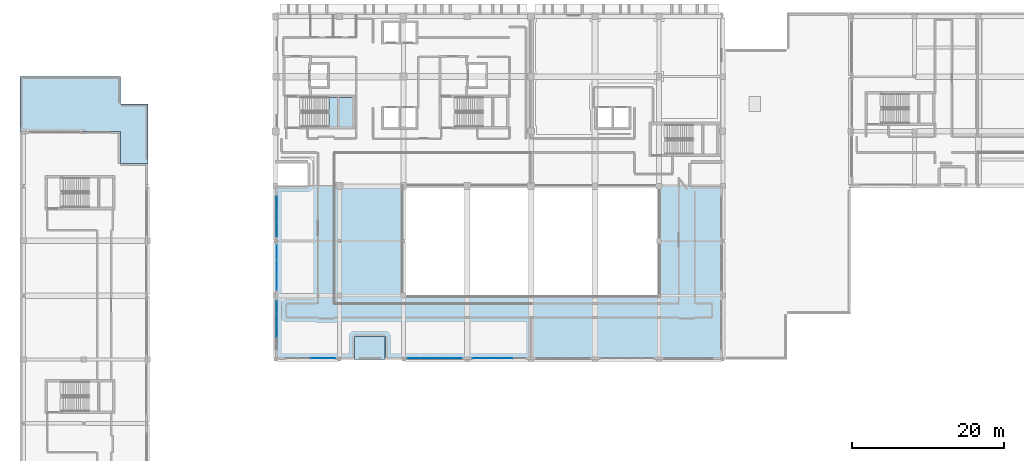
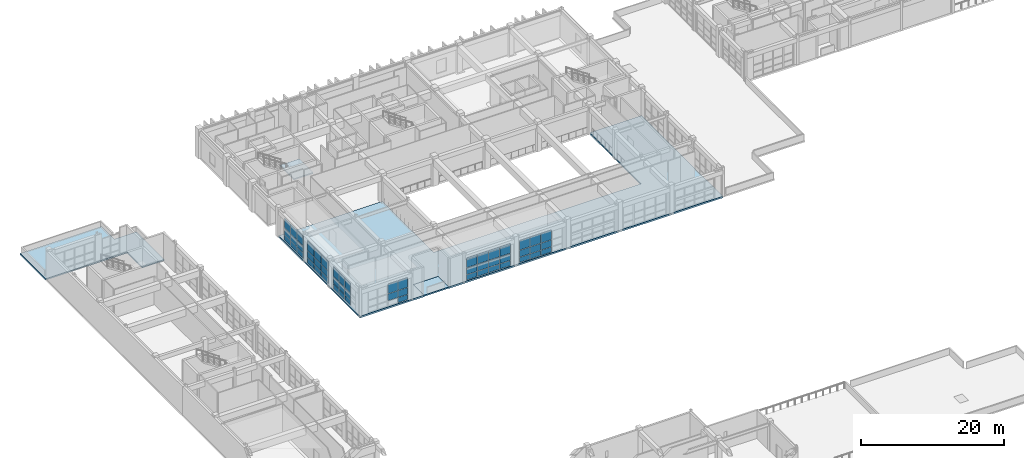
# One storey, part 52 of 78: 53 plates, 4 slabs, 7 elements without a shape of their own.
"""IFC4 building model written with IfcOpenShell, lengths in metres."""

from ifc_helpers import new_model, si_unit, direction, frame, origin, origin_2d, place, context, subcontext, project, spatial, polyline, rectangle, outline, extrude, material, layer, layer_set, type_object, element, aggregate, save


model = new_model("IFC4")

# Units and contexts
model_context = context("Model", 3, precision=1e-05, world=origin(), true_north=direction((0.0, 1.0)))
body_context = subcontext(model_context, "Body", "Model", "MODEL_VIEW")
ifc_project = project(units=[si_unit("LENGTHUNIT", "METRE"), si_unit("AREAUNIT", "SQUARE_METRE"), si_unit("VOLUMEUNIT", "CUBIC_METRE"), si_unit("PLANEANGLEUNIT", "RADIAN"), si_unit("MASSUNIT", "GRAM", prefix="KILO")], contexts=[model_context])

# Site, building, storey
site_placement = place(None, origin())
site = spatial("IfcSite", under=ifc_project, at=site_placement, CompositionType="ELEMENT")
building_placement = place(site_placement, origin())
building = spatial("IfcBuilding", under=site, at=building_placement, Name="Quendrovan Civic Courthouse", CompositionType="ELEMENT")
storey_placement = place(building_placement, frame((0.0, 0.0, 10.199951171875)))
storey = spatial("IfcBuildingStorey", under=building, at=storey_placement, Name="L03", CompositionType="ELEMENT", Elevation=10.199951171875)

# Curtain wall, plates
ifc_material_1 = material(Name="Bronze anodised aluminium and low-E glass", Category="aluminium")
ifc_layer_1 = layer(ifc_material_1, 0.179931640625, Name="Bronze anodised aluminium and low-E glass")
ifc_layer_set_1 = layer_set([ifc_layer_1], Name="Bronze anodised aluminium and low-E glass")
curtain_wall_type_1 = type_object("IfcCurtainWallType", Name="CW-U66x39", PredefinedType="USERDEFINED", material=ifc_layer_set_1)
curtain_wall_1_placement = place(storey_placement, origin())
curtain_wall_1 = element("IfcCurtainWall", 1, at=curtain_wall_1_placement, inside=storey, type_object=curtain_wall_type_1, Name="L03 Unitised Hurricane Curtain Wall CW-136", ObjectType="UNITISED CURTAIN WALL", PredefinedType="USERDEFINED")
ifc_material_2 = material(Name="Laminated hurricane-impact low-E glass", Category="glass")
ifc_layer_2 = layer(ifc_material_2, 0.028076171875, Name="Laminated hurricane-impact low-E glass")
ifc_layer_set_2 = layer_set([ifc_layer_2], Name="Laminated hurricane-impact low-E glass")
plate_type_1 = type_object("IfcPlateType", Name="CW-PNL-1", PredefinedType="CURTAIN_PANEL", material=ifc_layer_set_2)
plate_1_placement = place(storey_placement, frame((40.657470703125, 64.965087890625, 0.06982421875), z_axis=(0.0, 0.0, 1.0), x_axis=(-1.0, 0.0, 0.0)))
plate_1 = element("IfcPlate", 2, at=plate_1_placement, type_object=plate_type_1, Name="CW-136 panel 1.1", PredefinedType="CURTAIN_PANEL", context=body_context, shape_type="SweptSolid", body=[
    extrude(rectangle(XDim=1.544921875, YDim=0.028076171875, at=origin_2d()), origin(), (0.0, 0.0, 1.0), 0.844970703125),
])
plate_2_placement = place(storey_placement, frame((40.657470703125, 64.965087890625, 0.985107421875), z_axis=(0.0, 0.0, 1.0), x_axis=(-1.0, 0.0, 0.0)))
plate_2 = element("IfcPlate", 3, at=plate_2_placement, type_object=plate_type_1, Name="CW-136 panel 1.2", PredefinedType="CURTAIN_PANEL", context=body_context, shape_type="SweptSolid", body=[
    extrude(rectangle(XDim=1.544921875, YDim=0.028076171875, at=origin_2d()), origin(), (0.0, 0.0, 1.0), 1.1298828125),
])
plate_3_placement = place(storey_placement, frame((40.657470703125, 64.965087890625, 2.18505859375), z_axis=(0.0, 0.0, 1.0), x_axis=(-1.0, 0.0, 0.0)))
plate_3 = element("IfcPlate", 4, at=plate_3_placement, type_object=plate_type_1, Name="CW-136 panel 1.3", PredefinedType="CURTAIN_PANEL", context=body_context, shape_type="SweptSolid", body=[
    extrude(rectangle(XDim=1.544921875, YDim=0.028076171875, at=origin_2d()), origin(), (0.0, 0.0, 1.0), 1.64501953125),
])
plate_4_placement = place(storey_placement, frame((39.02490234375, 64.965087890625, 0.985107421875), z_axis=(0.0, 0.0, 1.0), x_axis=(-1.0, 0.0, 0.0)))
plate_4 = element("IfcPlate", 5, at=plate_4_placement, type_object=plate_type_1, Name="CW-136 panel 2.2", PredefinedType="CURTAIN_PANEL", context=body_context, shape_type="SweptSolid", body=[
    extrude(rectangle(XDim=1.580078125, YDim=0.028076171875, at=origin_2d()), origin(), (0.0, 0.0, 1.0), 1.1298828125),
])
plate_5_placement = place(storey_placement, frame((39.02490234375, 64.965087890625, 2.18505859375), z_axis=(0.0, 0.0, 1.0), x_axis=(-1.0, 0.0, 0.0)))
plate_5 = element("IfcPlate", 6, at=plate_5_placement, type_object=plate_type_1, Name="CW-136 panel 2.3", PredefinedType="CURTAIN_PANEL", context=body_context, shape_type="SweptSolid", body=[
    extrude(rectangle(XDim=1.580078125, YDim=0.028076171875, at=origin_2d()), origin(), (0.0, 0.0, 1.0), 1.64501953125),
])
aggregate(curtain_wall_1, [plate_1, plate_2, plate_3, plate_4, plate_5])

ifc_layer_3 = layer(ifc_material_1, 0.179931640625, Name="Bronze anodised aluminium and low-E glass")
ifc_layer_set_3 = layer_set([ifc_layer_3], Name="Bronze anodised aluminium and low-E glass")
curtain_wall_type_2 = type_object("IfcCurtainWallType", Name="CW-U64x39", PredefinedType="USERDEFINED", material=ifc_layer_set_3)
curtain_wall_2_placement = place(storey_placement, origin())
curtain_wall_2 = element("IfcCurtainWall", 7, at=curtain_wall_2_placement, inside=storey, type_object=curtain_wall_type_2, Name="L03 Unitised Hurricane Curtain Wall CW-137", ObjectType="UNITISED CURTAIN WALL", PredefinedType="USERDEFINED")
ifc_layer_4 = layer(ifc_material_2, 0.031982421875, Name="Laminated hurricane-impact low-E glass")
ifc_layer_set_4 = layer_set([ifc_layer_4], Name="Laminated hurricane-impact low-E glass")
plate_type_2 = type_object("IfcPlateType", Name="CW-PNL-2", PredefinedType="CURTAIN_PANEL", material=ifc_layer_set_4)
plate_6_placement = place(storey_placement, frame((33.764892578125, 68.50927734375, 0.06494140625), z_axis=(0.0, 0.0, 1.0), x_axis=(0.0, 1.0, 0.0)))
plate_6 = element("IfcPlate", 8, at=plate_6_placement, type_object=plate_type_2, Name="CW-137 panel 2.1", PredefinedType="CURTAIN_PANEL", context=body_context, shape_type="SweptSolid", body=[
    extrude(rectangle(XDim=1.541259765625, YDim=0.031982421875, at=origin_2d()), origin(), (0.0, 0.0, 1.0), 0.8525390625),
])
plate_7_placement = place(storey_placement, frame((33.764892578125, 68.50927734375, 0.982421875), z_axis=(0.0, 0.0, 1.0), x_axis=(0.0, 1.0, 0.0)))
plate_7 = element("IfcPlate", 9, at=plate_7_placement, type_object=plate_type_2, Name="CW-137 panel 2.2", PredefinedType="CURTAIN_PANEL", context=body_context, shape_type="SweptSolid", body=[
    extrude(rectangle(XDim=1.541259765625, YDim=0.031982421875, at=origin_2d()), origin(), (0.0, 0.0, 1.0), 1.135009765625),
])
plate_8_placement = place(storey_placement, frame((33.764892578125, 68.50927734375, 2.1826171875), z_axis=(0.0, 0.0, 1.0), x_axis=(0.0, 1.0, 0.0)))
plate_8 = element("IfcPlate", 10, at=plate_8_placement, type_object=plate_type_2, Name="CW-137 panel 2.3", PredefinedType="CURTAIN_PANEL", context=body_context, shape_type="SweptSolid", body=[
    extrude(rectangle(XDim=1.541259765625, YDim=0.031982421875, at=origin_2d()), origin(), (0.0, 0.0, 1.0), 1.652587890625),
])
plate_9_placement = place(storey_placement, frame((33.764892578125, 70.11572265625, 0.06494140625), z_axis=(0.0, 0.0, 1.0), x_axis=(0.0, 1.0, 0.0)))
plate_9 = element("IfcPlate", 11, at=plate_9_placement, type_object=plate_type_2, Name="CW-137 panel 3.1", PredefinedType="CURTAIN_PANEL", context=body_context, shape_type="SweptSolid", body=[
    extrude(rectangle(XDim=1.541259765625, YDim=0.031982421875, at=origin_2d()), origin(), (0.0, 0.0, 1.0), 0.8525390625),
])
plate_10_placement = place(storey_placement, frame((33.764892578125, 70.11572265625, 0.982421875), z_axis=(0.0, 0.0, 1.0), x_axis=(0.0, 1.0, 0.0)))
plate_10 = element("IfcPlate", 12, at=plate_10_placement, type_object=plate_type_2, Name="CW-137 panel 3.2", PredefinedType="CURTAIN_PANEL", context=body_context, shape_type="SweptSolid", body=[
    extrude(rectangle(XDim=1.541259765625, YDim=0.031982421875, at=origin_2d()), origin(), (0.0, 0.0, 1.0), 1.135009765625),
])
plate_11_placement = place(storey_placement, frame((33.764892578125, 70.11572265625, 2.1826171875), z_axis=(0.0, 0.0, 1.0), x_axis=(0.0, 1.0, 0.0)))
plate_11 = element("IfcPlate", 13, at=plate_11_placement, type_object=plate_type_2, Name="CW-137 panel 3.3", PredefinedType="CURTAIN_PANEL", context=body_context, shape_type="SweptSolid", body=[
    extrude(rectangle(XDim=1.541259765625, YDim=0.031982421875, at=origin_2d()), origin(), (0.0, 0.0, 1.0), 1.652587890625),
])
plate_12_placement = place(storey_placement, frame((33.764892578125, 71.70556640625, 0.06494140625), z_axis=(0.0, 0.0, 1.0), x_axis=(0.0, 1.0, 0.0)))
plate_12 = element("IfcPlate", 14, at=plate_12_placement, type_object=plate_type_2, Name="CW-137 panel 4.1", PredefinedType="CURTAIN_PANEL", context=body_context, shape_type="SweptSolid", body=[
    extrude(rectangle(XDim=1.5087890625, YDim=0.031982421875, at=origin_2d()), origin(), (0.0, 0.0, 1.0), 0.8525390625),
])
plate_13_placement = place(storey_placement, frame((33.764892578125, 71.70556640625, 0.982421875), z_axis=(0.0, 0.0, 1.0), x_axis=(0.0, 1.0, 0.0)))
plate_13 = element("IfcPlate", 15, at=plate_13_placement, type_object=plate_type_2, Name="CW-137 panel 4.2", PredefinedType="CURTAIN_PANEL", context=body_context, shape_type="SweptSolid", body=[
    extrude(rectangle(XDim=1.5087890625, YDim=0.031982421875, at=origin_2d()), origin(), (0.0, 0.0, 1.0), 1.135009765625),
])
plate_14_placement = place(storey_placement, frame((33.764892578125, 71.70556640625, 2.1826171875), z_axis=(0.0, 0.0, 1.0), x_axis=(0.0, 1.0, 0.0)))
plate_14 = element("IfcPlate", 16, at=plate_14_placement, type_object=plate_type_2, Name="CW-137 panel 4.3", PredefinedType="CURTAIN_PANEL", context=body_context, shape_type="SweptSolid", body=[
    extrude(rectangle(XDim=1.5087890625, YDim=0.031982421875, at=origin_2d()), origin(), (0.0, 0.0, 1.0), 1.652587890625),
])
aggregate(curtain_wall_2, [plate_6, plate_7, plate_8, plate_9, plate_10, plate_11, plate_12, plate_13, plate_14])

ifc_layer_5 = layer(ifc_material_1, 0.179931640625, Name="Bronze anodised aluminium and low-E glass")
ifc_layer_set_5 = layer_set([ifc_layer_5], Name="Bronze anodised aluminium and low-E glass")
curtain_wall_type_3 = type_object("IfcCurtainWallType", Name="CW-U70x39", PredefinedType="USERDEFINED", material=ifc_layer_set_5)
curtain_wall_3_placement = place(storey_placement, origin())
curtain_wall_3 = element("IfcCurtainWall", 17, at=curtain_wall_3_placement, inside=storey, type_object=curtain_wall_type_3, Name="L03 Unitised Hurricane Curtain Wall CW-134", ObjectType="UNITISED CURTAIN WALL", PredefinedType="USERDEFINED")
ifc_layer_6 = layer(ifc_material_2, 0.035888671875, Name="Laminated hurricane-impact low-E glass")
ifc_layer_set_6 = layer_set([ifc_layer_6], Name="Laminated hurricane-impact low-E glass")
plate_type_3 = type_object("IfcPlateType", Name="CW-PNL-3", PredefinedType="CURTAIN_PANEL", material=ifc_layer_set_6)
plate_15_placement = place(storey_placement, frame((63.88134765625, 64.965087890625, 0.06982421875), z_axis=(0.0, 0.0, 1.0), x_axis=(-1.0, 0.0, 0.0)))
plate_15 = element("IfcPlate", 18, at=plate_15_placement, type_object=plate_type_3, Name="CW-134 panel 2.1", PredefinedType="CURTAIN_PANEL", context=body_context, shape_type="SweptSolid", body=[
    extrude(rectangle(XDim=1.6923828125, YDim=0.035888671875, at=origin_2d()), origin(), (0.0, 0.0, 1.0), 0.844970703125),
])
plate_16_placement = place(storey_placement, frame((63.88134765625, 64.965087890625, 0.985107421875), z_axis=(0.0, 0.0, 1.0), x_axis=(-1.0, 0.0, 0.0)))
plate_16 = element("IfcPlate", 19, at=plate_16_placement, type_object=plate_type_3, Name="CW-134 panel 2.2", PredefinedType="CURTAIN_PANEL", context=body_context, shape_type="SweptSolid", body=[
    extrude(rectangle(XDim=1.6923828125, YDim=0.035888671875, at=origin_2d()), origin(), (0.0, 0.0, 1.0), 1.1298828125),
])
plate_17_placement = place(storey_placement, frame((63.88134765625, 64.965087890625, 2.18505859375), z_axis=(0.0, 0.0, 1.0), x_axis=(-1.0, 0.0, 0.0)))
plate_17 = element("IfcPlate", 20, at=plate_17_placement, type_object=plate_type_3, Name="CW-134 panel 2.3", PredefinedType="CURTAIN_PANEL", context=body_context, shape_type="SweptSolid", body=[
    extrude(rectangle(XDim=1.6923828125, YDim=0.035888671875, at=origin_2d()), origin(), (0.0, 0.0, 1.0), 1.64501953125),
])
plate_18_placement = place(storey_placement, frame((62.11865234375, 64.965087890625, 0.06982421875), z_axis=(0.0, 0.0, 1.0), x_axis=(-1.0, 0.0, 0.0)))
plate_18 = element("IfcPlate", 21, at=plate_18_placement, type_object=plate_type_3, Name="CW-134 panel 3.1", PredefinedType="CURTAIN_PANEL", context=body_context, shape_type="SweptSolid", body=[
    extrude(rectangle(XDim=1.6923828125, YDim=0.035888671875, at=origin_2d()), origin(), (0.0, 0.0, 1.0), 0.844970703125),
])
plate_19_placement = place(storey_placement, frame((62.11865234375, 64.965087890625, 0.985107421875), z_axis=(0.0, 0.0, 1.0), x_axis=(-1.0, 0.0, 0.0)))
plate_19 = element("IfcPlate", 22, at=plate_19_placement, type_object=plate_type_3, Name="CW-134 panel 3.2", PredefinedType="CURTAIN_PANEL", context=body_context, shape_type="SweptSolid", body=[
    extrude(rectangle(XDim=1.6923828125, YDim=0.035888671875, at=origin_2d()), origin(), (0.0, 0.0, 1.0), 1.1298828125),
])
plate_20_placement = place(storey_placement, frame((62.11865234375, 64.965087890625, 2.18505859375), z_axis=(0.0, 0.0, 1.0), x_axis=(-1.0, 0.0, 0.0)))
plate_20 = element("IfcPlate", 23, at=plate_20_placement, type_object=plate_type_3, Name="CW-134 panel 3.3", PredefinedType="CURTAIN_PANEL", context=body_context, shape_type="SweptSolid", body=[
    extrude(rectangle(XDim=1.6923828125, YDim=0.035888671875, at=origin_2d()), origin(), (0.0, 0.0, 1.0), 1.64501953125),
])
plate_21_placement = place(storey_placement, frame((60.373779296875, 64.965087890625, 0.06982421875), z_axis=(0.0, 0.0, 1.0), x_axis=(-1.0, 0.0, 0.0)))
plate_21 = element("IfcPlate", 24, at=plate_21_placement, type_object=plate_type_3, Name="CW-134 panel 4.1", PredefinedType="CURTAIN_PANEL", context=body_context, shape_type="SweptSolid", body=[
    extrude(rectangle(XDim=1.657470703125, YDim=0.035888671875, at=origin_2d()), origin(), (0.0, 0.0, 1.0), 0.844970703125),
])
plate_22_placement = place(storey_placement, frame((60.373779296875, 64.965087890625, 0.985107421875), z_axis=(0.0, 0.0, 1.0), x_axis=(-1.0, 0.0, 0.0)))
plate_22 = element("IfcPlate", 25, at=plate_22_placement, type_object=plate_type_3, Name="CW-134 panel 4.2", PredefinedType="CURTAIN_PANEL", context=body_context, shape_type="SweptSolid", body=[
    extrude(rectangle(XDim=1.657470703125, YDim=0.035888671875, at=origin_2d()), origin(), (0.0, 0.0, 1.0), 1.1298828125),
])
plate_23_placement = place(storey_placement, frame((60.373779296875, 64.965087890625, 2.18505859375), z_axis=(0.0, 0.0, 1.0), x_axis=(-1.0, 0.0, 0.0)))
plate_23 = element("IfcPlate", 26, at=plate_23_placement, type_object=plate_type_3, Name="CW-134 panel 4.3", PredefinedType="CURTAIN_PANEL", context=body_context, shape_type="SweptSolid", body=[
    extrude(rectangle(XDim=1.657470703125, YDim=0.035888671875, at=origin_2d()), origin(), (0.0, 0.0, 1.0), 1.64501953125),
])
aggregate(curtain_wall_3, [plate_15, plate_16, plate_17, plate_18, plate_19, plate_20, plate_21, plate_22, plate_23])

ifc_layer_7 = layer(ifc_material_1, 0.179931640625, Name="Bronze anodised aluminium and low-E glass")
ifc_layer_set_7 = layer_set([ifc_layer_7], Name="Bronze anodised aluminium and low-E glass")
curtain_wall_type_4 = type_object("IfcCurtainWallType", Name="CW-U60x39", PredefinedType="USERDEFINED", material=ifc_layer_set_7)
curtain_wall_4_placement = place(storey_placement, origin())
curtain_wall_4 = element("IfcCurtainWall", 27, at=curtain_wall_4_placement, inside=storey, type_object=curtain_wall_type_4, Name="L03 Unitised Hurricane Curtain Wall CW-138", ObjectType="UNITISED CURTAIN WALL", PredefinedType="USERDEFINED")
plate_24_placement = place(storey_placement, frame((33.764892578125, 74.896728515625, 0.06982421875), z_axis=(0.0, 0.0, 1.0), x_axis=(0.0, 1.0, 0.0)))
plate_24 = element("IfcPlate", 28, at=plate_24_placement, type_object=plate_type_3, Name="CW-138 panel 1.1", PredefinedType="CURTAIN_PANEL", context=body_context, shape_type="SweptSolid", body=[
    extrude(rectangle(XDim=1.9033203125, YDim=0.035888671875, at=origin_2d()), origin(), (0.0, 0.0, 1.0), 0.844970703125),
])
plate_25_placement = place(storey_placement, frame((33.764892578125, 74.896728515625, 0.985107421875), z_axis=(0.0, 0.0, 1.0), x_axis=(0.0, 1.0, 0.0)))
plate_25 = element("IfcPlate", 29, at=plate_25_placement, type_object=plate_type_3, Name="CW-138 panel 1.2", PredefinedType="CURTAIN_PANEL", context=body_context, shape_type="SweptSolid", body=[
    extrude(rectangle(XDim=1.9033203125, YDim=0.035888671875, at=origin_2d()), origin(), (0.0, 0.0, 1.0), 1.1298828125),
])
plate_26_placement = place(storey_placement, frame((33.764892578125, 74.896728515625, 2.18505859375), z_axis=(0.0, 0.0, 1.0), x_axis=(0.0, 1.0, 0.0)))
plate_26 = element("IfcPlate", 30, at=plate_26_placement, type_object=plate_type_3, Name="CW-138 panel 1.3", PredefinedType="CURTAIN_PANEL", context=body_context, shape_type="SweptSolid", body=[
    extrude(rectangle(XDim=1.9033203125, YDim=0.035888671875, at=origin_2d()), origin(), (0.0, 0.0, 1.0), 1.64501953125),
])
plate_27_placement = place(storey_placement, frame((33.764892578125, 76.887451171875, 0.06982421875), z_axis=(0.0, 0.0, 1.0), x_axis=(0.0, 1.0, 0.0)))
plate_27 = element("IfcPlate", 31, at=plate_27_placement, type_object=plate_type_3, Name="CW-138 panel 2.1", PredefinedType="CURTAIN_PANEL", context=body_context, shape_type="SweptSolid", body=[
    extrude(rectangle(XDim=1.938232421875, YDim=0.035888671875, at=origin_2d()), origin(), (0.0, 0.0, 1.0), 0.844970703125),
])
plate_28_placement = place(storey_placement, frame((33.764892578125, 76.887451171875, 0.985107421875), z_axis=(0.0, 0.0, 1.0), x_axis=(0.0, 1.0, 0.0)))
plate_28 = element("IfcPlate", 32, at=plate_28_placement, type_object=plate_type_3, Name="CW-138 panel 2.2", PredefinedType="CURTAIN_PANEL", context=body_context, shape_type="SweptSolid", body=[
    extrude(rectangle(XDim=1.938232421875, YDim=0.035888671875, at=origin_2d()), origin(), (0.0, 0.0, 1.0), 1.1298828125),
])
plate_29_placement = place(storey_placement, frame((33.764892578125, 76.887451171875, 2.18505859375), z_axis=(0.0, 0.0, 1.0), x_axis=(0.0, 1.0, 0.0)))
plate_29 = element("IfcPlate", 33, at=plate_29_placement, type_object=plate_type_3, Name="CW-138 panel 2.3", PredefinedType="CURTAIN_PANEL", context=body_context, shape_type="SweptSolid", body=[
    extrude(rectangle(XDim=1.938232421875, YDim=0.035888671875, at=origin_2d()), origin(), (0.0, 0.0, 1.0), 1.64501953125),
])
plate_30_placement = place(storey_placement, frame((33.764892578125, 78.87841796875, 0.06982421875), z_axis=(0.0, 0.0, 1.0), x_axis=(0.0, 1.0, 0.0)))
plate_30 = element("IfcPlate", 34, at=plate_30_placement, type_object=plate_type_3, Name="CW-138 panel 3.1", PredefinedType="CURTAIN_PANEL", context=body_context, shape_type="SweptSolid", body=[
    extrude(rectangle(XDim=1.9033203125, YDim=0.035888671875, at=origin_2d()), origin(), (0.0, 0.0, 1.0), 0.844970703125),
])
plate_31_placement = place(storey_placement, frame((33.764892578125, 78.87841796875, 0.985107421875), z_axis=(0.0, 0.0, 1.0), x_axis=(0.0, 1.0, 0.0)))
plate_31 = element("IfcPlate", 35, at=plate_31_placement, type_object=plate_type_3, Name="CW-138 panel 3.2", PredefinedType="CURTAIN_PANEL", context=body_context, shape_type="SweptSolid", body=[
    extrude(rectangle(XDim=1.9033203125, YDim=0.035888671875, at=origin_2d()), origin(), (0.0, 0.0, 1.0), 1.1298828125),
])
plate_32_placement = place(storey_placement, frame((33.764892578125, 78.87841796875, 2.18505859375), z_axis=(0.0, 0.0, 1.0), x_axis=(0.0, 1.0, 0.0)))
plate_32 = element("IfcPlate", 36, at=plate_32_placement, type_object=plate_type_3, Name="CW-138 panel 3.3", PredefinedType="CURTAIN_PANEL", context=body_context, shape_type="SweptSolid", body=[
    extrude(rectangle(XDim=1.9033203125, YDim=0.035888671875, at=origin_2d()), origin(), (0.0, 0.0, 1.0), 1.64501953125),
])
aggregate(curtain_wall_4, [plate_24, plate_25, plate_26, plate_27, plate_28, plate_29, plate_30, plate_31, plate_32])

ifc_layer_8 = layer(ifc_material_1, 0.179931640625, Name="Bronze anodised aluminium and low-E glass")
ifc_layer_set_8 = layer_set([ifc_layer_8], Name="Bronze anodised aluminium and low-E glass")
curtain_wall_type_5 = type_object("IfcCurtainWallType", Name="CW-U72x39", PredefinedType="USERDEFINED", material=ifc_layer_set_8)
curtain_wall_5_placement = place(storey_placement, origin())
curtain_wall_5 = element("IfcCurtainWall", 37, at=curtain_wall_5_placement, inside=storey, type_object=curtain_wall_type_5, Name="L03 Unitised Hurricane Curtain Wall CW-135", ObjectType="UNITISED CURTAIN WALL", PredefinedType="USERDEFINED")
ifc_layer_9 = layer(ifc_material_2, 0.0419921875, Name="Laminated hurricane-impact low-E glass")
ifc_layer_set_9 = layer_set([ifc_layer_9], Name="Laminated hurricane-impact low-E glass")
plate_type_4 = type_object("IfcPlateType", Name="CW-PNL-4", PredefinedType="CURTAIN_PANEL", material=ifc_layer_set_9)
plate_33_placement = place(storey_placement, frame((57.20556640625, 64.965087890625, 0.06494140625), z_axis=(0.0, 0.0, 1.0), x_axis=(-1.0, 0.0, 0.0)))
plate_33 = element("IfcPlate", 38, at=plate_33_placement, type_object=plate_type_4, Name="CW-135 panel 1.1", PredefinedType="CURTAIN_PANEL", context=body_context, shape_type="SweptSolid", body=[
    extrude(rectangle(XDim=1.708740234375, YDim=0.0419921875, at=origin_2d()), origin(), (0.0, 0.0, 1.0), 0.8525390625),
])
plate_34_placement = place(storey_placement, frame((57.20556640625, 64.965087890625, 0.982421875), z_axis=(0.0, 0.0, 1.0), x_axis=(-1.0, 0.0, 0.0)))
plate_34 = element("IfcPlate", 39, at=plate_34_placement, type_object=plate_type_4, Name="CW-135 panel 1.2", PredefinedType="CURTAIN_PANEL", context=body_context, shape_type="SweptSolid", body=[
    extrude(rectangle(XDim=1.708740234375, YDim=0.0419921875, at=origin_2d()), origin(), (0.0, 0.0, 1.0), 1.135009765625),
])
plate_35_placement = place(storey_placement, frame((57.20556640625, 64.965087890625, 2.1826171875), z_axis=(0.0, 0.0, 1.0), x_axis=(-1.0, 0.0, 0.0)))
plate_35 = element("IfcPlate", 40, at=plate_35_placement, type_object=plate_type_4, Name="CW-135 panel 1.3", PredefinedType="CURTAIN_PANEL", context=body_context, shape_type="SweptSolid", body=[
    extrude(rectangle(XDim=1.708740234375, YDim=0.0419921875, at=origin_2d()), origin(), (0.0, 0.0, 1.0), 1.652587890625),
])
plate_36_placement = place(storey_placement, frame((55.41552734375, 64.965087890625, 0.06494140625), z_axis=(0.0, 0.0, 1.0), x_axis=(-1.0, 0.0, 0.0)))
plate_36 = element("IfcPlate", 41, at=plate_36_placement, type_object=plate_type_4, Name="CW-135 panel 2.1", PredefinedType="CURTAIN_PANEL", context=body_context, shape_type="SweptSolid", body=[
    extrude(rectangle(XDim=1.7412109375, YDim=0.0419921875, at=origin_2d()), origin(), (0.0, 0.0, 1.0), 0.8525390625),
])
plate_37_placement = place(storey_placement, frame((55.41552734375, 64.965087890625, 0.982421875), z_axis=(0.0, 0.0, 1.0), x_axis=(-1.0, 0.0, 0.0)))
plate_37 = element("IfcPlate", 42, at=plate_37_placement, type_object=plate_type_4, Name="CW-135 panel 2.2", PredefinedType="CURTAIN_PANEL", context=body_context, shape_type="SweptSolid", body=[
    extrude(rectangle(XDim=1.7412109375, YDim=0.0419921875, at=origin_2d()), origin(), (0.0, 0.0, 1.0), 1.135009765625),
])
plate_38_placement = place(storey_placement, frame((55.41552734375, 64.965087890625, 2.1826171875), z_axis=(0.0, 0.0, 1.0), x_axis=(-1.0, 0.0, 0.0)))
plate_38 = element("IfcPlate", 43, at=plate_38_placement, type_object=plate_type_4, Name="CW-135 panel 2.3", PredefinedType="CURTAIN_PANEL", context=body_context, shape_type="SweptSolid", body=[
    extrude(rectangle(XDim=1.7412109375, YDim=0.0419921875, at=origin_2d()), origin(), (0.0, 0.0, 1.0), 1.652587890625),
])
plate_39_placement = place(storey_placement, frame((53.609375, 64.965087890625, 0.06494140625), z_axis=(0.0, 0.0, 1.0), x_axis=(-1.0, 0.0, 0.0)))
plate_39 = element("IfcPlate", 44, at=plate_39_placement, type_object=plate_type_4, Name="CW-135 panel 3.1", PredefinedType="CURTAIN_PANEL", context=body_context, shape_type="SweptSolid", body=[
    extrude(rectangle(XDim=1.7412109375, YDim=0.0419921875, at=origin_2d()), origin(), (0.0, 0.0, 1.0), 0.8525390625),
])
plate_40_placement = place(storey_placement, frame((53.609375, 64.965087890625, 0.982421875), z_axis=(0.0, 0.0, 1.0), x_axis=(-1.0, 0.0, 0.0)))
plate_40 = element("IfcPlate", 45, at=plate_40_placement, type_object=plate_type_4, Name="CW-135 panel 3.2", PredefinedType="CURTAIN_PANEL", context=body_context, shape_type="SweptSolid", body=[
    extrude(rectangle(XDim=1.7412109375, YDim=0.0419921875, at=origin_2d()), origin(), (0.0, 0.0, 1.0), 1.135009765625),
])
plate_41_placement = place(storey_placement, frame((53.609375, 64.965087890625, 2.1826171875), z_axis=(0.0, 0.0, 1.0), x_axis=(-1.0, 0.0, 0.0)))
plate_41 = element("IfcPlate", 46, at=plate_41_placement, type_object=plate_type_4, Name="CW-135 panel 3.3", PredefinedType="CURTAIN_PANEL", context=body_context, shape_type="SweptSolid", body=[
    extrude(rectangle(XDim=1.7412109375, YDim=0.0419921875, at=origin_2d()), origin(), (0.0, 0.0, 1.0), 1.652587890625),
])
plate_42_placement = place(storey_placement, frame((51.8193359375, 64.965087890625, 0.06494140625), z_axis=(0.0, 0.0, 1.0), x_axis=(-1.0, 0.0, 0.0)))
plate_42 = element("IfcPlate", 47, at=plate_42_placement, type_object=plate_type_4, Name="CW-135 panel 4.1", PredefinedType="CURTAIN_PANEL", context=body_context, shape_type="SweptSolid", body=[
    extrude(rectangle(XDim=1.708740234375, YDim=0.0419921875, at=origin_2d()), origin(), (0.0, 0.0, 1.0), 0.8525390625),
])
plate_43_placement = place(storey_placement, frame((51.8193359375, 64.965087890625, 0.982421875), z_axis=(0.0, 0.0, 1.0), x_axis=(-1.0, 0.0, 0.0)))
plate_43 = element("IfcPlate", 48, at=plate_43_placement, type_object=plate_type_4, Name="CW-135 panel 4.2", PredefinedType="CURTAIN_PANEL", context=body_context, shape_type="SweptSolid", body=[
    extrude(rectangle(XDim=1.708740234375, YDim=0.0419921875, at=origin_2d()), origin(), (0.0, 0.0, 1.0), 1.135009765625),
])
plate_44_placement = place(storey_placement, frame((51.8193359375, 64.965087890625, 2.1826171875), z_axis=(0.0, 0.0, 1.0), x_axis=(-1.0, 0.0, 0.0)))
plate_44 = element("IfcPlate", 49, at=plate_44_placement, type_object=plate_type_4, Name="CW-135 panel 4.3", PredefinedType="CURTAIN_PANEL", context=body_context, shape_type="SweptSolid", body=[
    extrude(rectangle(XDim=1.708740234375, YDim=0.0419921875, at=origin_2d()), origin(), (0.0, 0.0, 1.0), 1.652587890625),
])
aggregate(curtain_wall_5, [plate_33, plate_34, plate_35, plate_36, plate_37, plate_38, plate_39, plate_40, plate_41, plate_42, plate_43, plate_44])

ifc_layer_10 = layer(ifc_material_1, 0.179931640625, Name="Bronze anodised aluminium and low-E glass")
ifc_layer_set_10 = layer_set([ifc_layer_10], Name="Bronze anodised aluminium and low-E glass")
curtain_wall_type_6 = type_object("IfcCurtainWallType", Name="CW-U54x39", PredefinedType="USERDEFINED", material=ifc_layer_set_10)
curtain_wall_6_placement = place(storey_placement, origin())
curtain_wall_6 = element("IfcCurtainWall", 50, at=curtain_wall_6_placement, inside=storey, type_object=curtain_wall_type_6, Name="L03 Unitised Hurricane Curtain Wall CW-139", ObjectType="UNITISED CURTAIN WALL", PredefinedType="USERDEFINED")
plate_45_placement = place(storey_placement, frame((33.764892578125, 81.816162109375, 0.06494140625), z_axis=(0.0, 0.0, 1.0), x_axis=(0.0, 1.0, 0.0)))
plate_45 = element("IfcPlate", 51, at=plate_45_placement, type_object=plate_type_4, Name="CW-139 panel 1.1", PredefinedType="CURTAIN_PANEL", context=body_context, shape_type="SweptSolid", body=[
    extrude(rectangle(XDim=1.702392578125, YDim=0.0419921875, at=origin_2d()), origin(), (0.0, 0.0, 1.0), 0.8525390625),
])
plate_46_placement = place(storey_placement, frame((33.764892578125, 81.816162109375, 0.982421875), z_axis=(0.0, 0.0, 1.0), x_axis=(0.0, 1.0, 0.0)))
plate_46 = element("IfcPlate", 52, at=plate_46_placement, type_object=plate_type_4, Name="CW-139 panel 1.2", PredefinedType="CURTAIN_PANEL", context=body_context, shape_type="SweptSolid", body=[
    extrude(rectangle(XDim=1.702392578125, YDim=0.0419921875, at=origin_2d()), origin(), (0.0, 0.0, 1.0), 1.135009765625),
])
plate_47_placement = place(storey_placement, frame((33.764892578125, 81.816162109375, 2.1826171875), z_axis=(0.0, 0.0, 1.0), x_axis=(0.0, 1.0, 0.0)))
plate_47 = element("IfcPlate", 53, at=plate_47_placement, type_object=plate_type_4, Name="CW-139 panel 1.3", PredefinedType="CURTAIN_PANEL", context=body_context, shape_type="SweptSolid", body=[
    extrude(rectangle(XDim=1.702392578125, YDim=0.0419921875, at=origin_2d()), origin(), (0.0, 0.0, 1.0), 1.652587890625),
])
plate_48_placement = place(storey_placement, frame((33.764892578125, 83.60009765625, 0.06494140625), z_axis=(0.0, 0.0, 1.0), x_axis=(0.0, 1.0, 0.0)))
plate_48 = element("IfcPlate", 54, at=plate_48_placement, type_object=plate_type_4, Name="CW-139 panel 2.1", PredefinedType="CURTAIN_PANEL", context=body_context, shape_type="SweptSolid", body=[
    extrude(rectangle(XDim=1.735107421875, YDim=0.0419921875, at=origin_2d()), origin(), (0.0, 0.0, 1.0), 0.8525390625),
])
plate_49_placement = place(storey_placement, frame((33.764892578125, 83.60009765625, 0.982421875), z_axis=(0.0, 0.0, 1.0), x_axis=(0.0, 1.0, 0.0)))
plate_49 = element("IfcPlate", 55, at=plate_49_placement, type_object=plate_type_4, Name="CW-139 panel 2.2", PredefinedType="CURTAIN_PANEL", context=body_context, shape_type="SweptSolid", body=[
    extrude(rectangle(XDim=1.735107421875, YDim=0.0419921875, at=origin_2d()), origin(), (0.0, 0.0, 1.0), 1.135009765625),
])
plate_50_placement = place(storey_placement, frame((33.764892578125, 83.60009765625, 2.1826171875), z_axis=(0.0, 0.0, 1.0), x_axis=(0.0, 1.0, 0.0)))
plate_50 = element("IfcPlate", 56, at=plate_50_placement, type_object=plate_type_4, Name="CW-139 panel 2.3", PredefinedType="CURTAIN_PANEL", context=body_context, shape_type="SweptSolid", body=[
    extrude(rectangle(XDim=1.735107421875, YDim=0.0419921875, at=origin_2d()), origin(), (0.0, 0.0, 1.0), 1.652587890625),
])
plate_51_placement = place(storey_placement, frame((33.764892578125, 85.3837890625, 0.06494140625), z_axis=(0.0, 0.0, 1.0), x_axis=(0.0, 1.0, 0.0)))
plate_51 = element("IfcPlate", 57, at=plate_51_placement, type_object=plate_type_4, Name="CW-139 panel 3.1", PredefinedType="CURTAIN_PANEL", context=body_context, shape_type="SweptSolid", body=[
    extrude(rectangle(XDim=1.702392578125, YDim=0.0419921875, at=origin_2d()), origin(), (0.0, 0.0, 1.0), 0.8525390625),
])
plate_52_placement = place(storey_placement, frame((33.764892578125, 85.3837890625, 0.982421875), z_axis=(0.0, 0.0, 1.0), x_axis=(0.0, 1.0, 0.0)))
plate_52 = element("IfcPlate", 58, at=plate_52_placement, type_object=plate_type_4, Name="CW-139 panel 3.2", PredefinedType="CURTAIN_PANEL", context=body_context, shape_type="SweptSolid", body=[
    extrude(rectangle(XDim=1.702392578125, YDim=0.0419921875, at=origin_2d()), origin(), (0.0, 0.0, 1.0), 1.135009765625),
])
plate_53_placement = place(storey_placement, frame((33.764892578125, 85.3837890625, 2.1826171875), z_axis=(0.0, 0.0, 1.0), x_axis=(0.0, 1.0, 0.0)))
plate_53 = element("IfcPlate", 59, at=plate_53_placement, type_object=plate_type_4, Name="CW-139 panel 3.3", PredefinedType="CURTAIN_PANEL", context=body_context, shape_type="SweptSolid", body=[
    extrude(rectangle(XDim=1.702392578125, YDim=0.0419921875, at=origin_2d()), origin(), (0.0, 0.0, 1.0), 1.652587890625),
])
aggregate(curtain_wall_6, [plate_45, plate_46, plate_47, plate_48, plate_49, plate_50, plate_51, plate_52, plate_53])

# Slabs
ifc_material_3 = material(Name="Post-tensioned concrete C50/60", Category="concrete")
ifc_layer_11 = layer(ifc_material_3, 0.280029296875, Name="Post-tensioned concrete C50/60")
ifc_layer_set_11 = layer_set([ifc_layer_11], Name="Post-tensioned concrete C50/60")
slab_type_1 = type_object("IfcSlabType", Name="SLB-PT-280", PredefinedType="FLOOR", material=ifc_layer_set_11)
slab_1_placement = place(storey_placement, frame((0.0, 0.0, -0.280029296875)))
element("IfcSlab", 60, at=slab_1_placement, inside=storey, type_object=slab_type_1, Name="L03 Structural Floor Slab V3C", PredefinedType="FLOOR", context=body_context, shape_type="SweptSolid", body=[
    extrude(outline(polyline([(33.60009765625, 87.60009765625), (50.39990234375, 87.60009765625), (50.39990234375, 73.199951171875), (84.0, 73.199951171875), (84.0, 87.60009765625), (92.39990234375, 87.60009765625), (92.39990234375, 64.800048828125), (48.0, 64.800048828125), (48.0, 67.800048828125), (44.0, 67.800048828125), (44.0, 64.800048828125), (33.60009765625, 64.800048828125), (33.60009765625, 87.60009765625)])), origin(), (0.0, 0.0, 1.0), 0.280029296875),
])
ifc_material_4 = material(Name="Concrete C40/50", Category="concrete")
ifc_layer_12 = layer(ifc_material_4, 0.219970703125, Name="Concrete C40/50")
ifc_layer_set_12 = layer_set([ifc_layer_12], Name="Concrete C40/50")
slab_type_2 = type_object("IfcSlabType", Name="SLB-RC-220", PredefinedType="ROOF", material=ifc_layer_set_12)
slab_2_placement = place(storey_placement, frame((0.0, 0.0, -0.219970703125)))
element("IfcSlab", 61, at=slab_2_placement, inside=storey, type_object=slab_type_2, Name="L03 Step-Back Structural Roof Slab SLB-ROOF-L03-10", PredefinedType="ROOF", context=body_context, shape_type="SweptSolid", body=[
    extrude(outline(polyline([(44.0, 64.800048828125), (44.0, 67.800048828125), (48.0, 67.800048828125), (48.0, 64.800048828125), (44.0, 64.800048828125)])), origin(), (0.0, 0.0, 1.0), 0.219970703125),
])
slab_3_placement = place(storey_placement, frame((0.0, 0.0, -0.219970703125)))
element("IfcSlab", 62, at=slab_3_placement, inside=storey, type_object=slab_type_2, Name="L03 Step-Back Structural Roof Slab SLB-ROOF-L03-13", PredefinedType="ROOF", context=body_context, shape_type="SweptSolid", body=[
    extrude(outline(polyline([(0.0, 102.0), (13.199951171875, 102.0), (13.199951171875, 98.39990234375), (16.800048828125, 98.39990234375), (16.800048828125, 90.60009765625), (13.199951171875, 90.60009765625), (13.199951171875, 94.800048828125), (0.0, 94.800048828125), (0.0, 102.0)])), origin(), (0.0, 0.0, 1.0), 0.219970703125),
])

# Stair, slab
stair_type = type_object("IfcStairType", Name="STR-CORE-5100", PredefinedType="HALF_TURN_STAIR", material=ifc_material_4)
stair_placement = place(storey_placement, origin())
stair = element("IfcStair", 63, at=stair_placement, inside=storey, type_object=stair_type, Name="L03 West Judicial and Public Exit Stair 1", PredefinedType="HALF_TURN_STAIR")
ifc_layer_13 = layer(ifc_material_4, 0.199951171875, Name="Concrete C40/50")
ifc_layer_set_13 = layer_set([ifc_layer_13], Name="Concrete C40/50")
slab_type_3 = type_object("IfcSlabType", Name="SLB-STAIR-LND200", PredefinedType="LANDING", material=ifc_layer_set_13)
slab_4_placement = place(storey_placement, frame((0.0, 0.0, 2.35009765625)))
slab_4 = element("IfcSlab", 64, at=slab_4_placement, type_object=slab_type_3, Name="ST1 landing 1", PredefinedType="LANDING", context=body_context, shape_type="SweptSolid", body=[
    extrude(outline(polyline([(40.590087890625, 95.39990234375), (43.699951171875, 95.39990234375), (43.699951171875, 99.280029296875), (40.590087890625, 99.280029296875), (40.590087890625, 95.39990234375)])), origin(), (0.0, 0.0, 1.0), 0.199951171875),
])
aggregate(stair, [slab_4])

save(model, "model.ifc")
